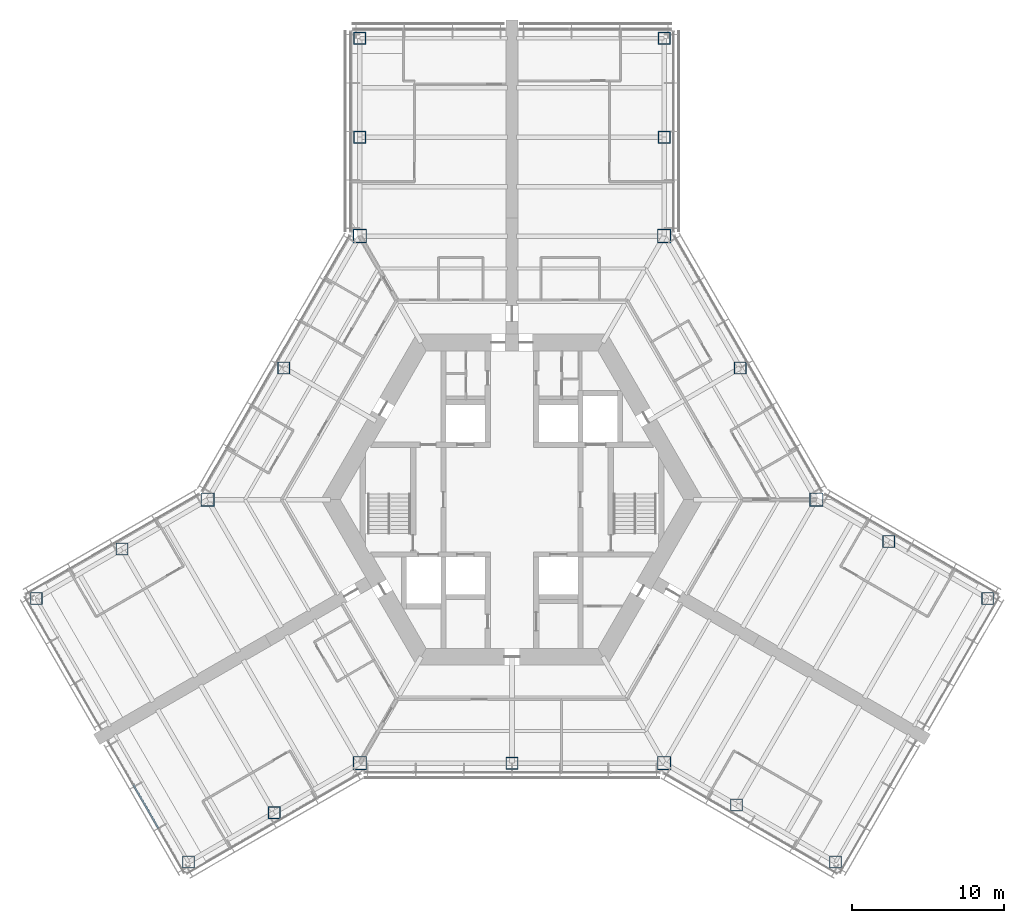
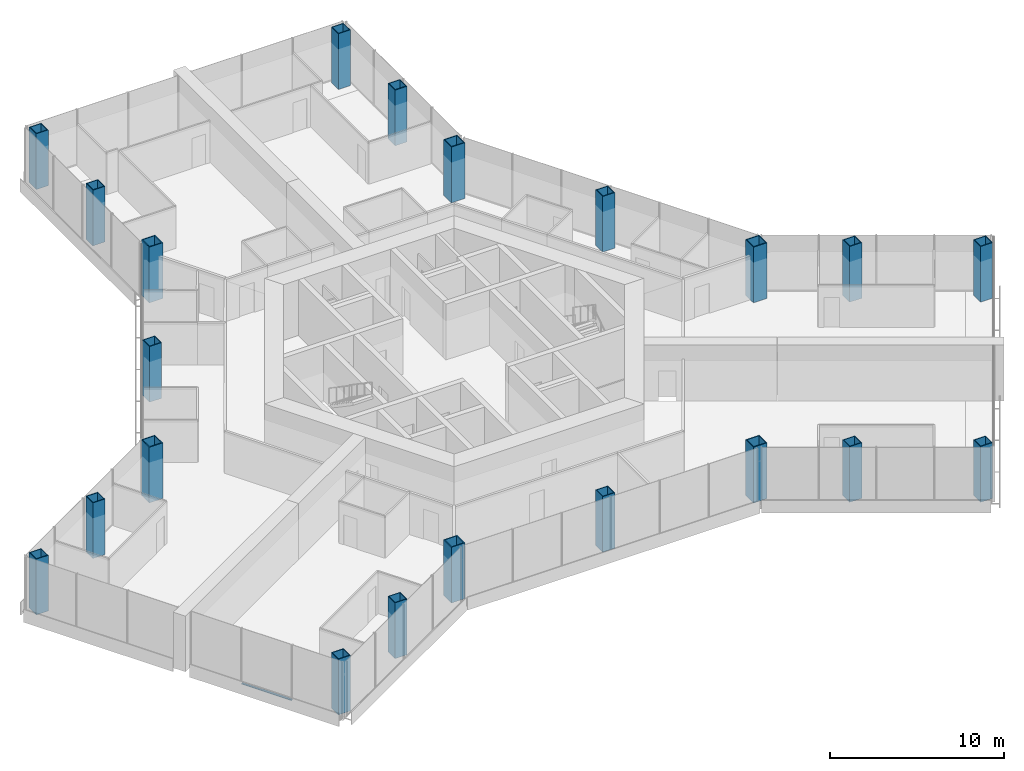
# One storey, part 1 of 18: 21 columns, 1 member, 1 element without a shape of its own.
"""IFC4 building model written with IfcOpenShell, lengths in metres."""

from ifc_helpers import new_model, si_unit, direction, frame, origin, origin_2d, place, context, subcontext, project, spatial, rectangle, hollow_rectangle, extrude, material, material_profile, profile_set, type_object, element, aggregate, save


model = new_model("IFC4")

# Units and contexts
model_context = context("Model", 3, precision=1e-05, world=origin(), true_north=direction((0.0, 1.0)))
body_context = subcontext(model_context, "Body", "Model", "MODEL_VIEW")
ifc_project = project(units=[si_unit("LENGTHUNIT", "METRE"), si_unit("AREAUNIT", "SQUARE_METRE"), si_unit("VOLUMEUNIT", "CUBIC_METRE"), si_unit("PLANEANGLEUNIT", "RADIAN"), si_unit("MASSUNIT", "GRAM", prefix="KILO")], contexts=[model_context])

# Site, building, storey
site_placement = place(None, origin())
site = spatial("IfcSite", under=ifc_project, at=site_placement, CompositionType="ELEMENT")
building_placement = place(site_placement, origin())
building = spatial("IfcBuilding", under=site, at=building_placement, Name="Kasaneha Research Tower", CompositionType="ELEMENT")
storey_placement = place(building_placement, frame((0.0, 0.0, 65.10009765625)))
storey = spatial("IfcBuildingStorey", under=building, at=storey_placement, Name="L16", CompositionType="ELEMENT", Elevation=65.10009765625)

# Columns
ifc_material_1 = material(Name="Steel SN490C", Category="steel")
ifc_material_profile_1 = material_profile(ifc_material_1, hollow_rectangle(XDim=0.89990234375, YDim=0.89990234375, WallThickness=0.054931640625, at=origin_2d()), Name="BOX-900x900x55")
ifc_profile_set_1 = profile_set([ifc_material_profile_1], Name="Steel SN490C")
column_type_1 = type_object("IfcColumnType", Name="C2A column BOX-900x900x55", PredefinedType="COLUMN", material=ifc_profile_set_1)
for number, where, z_axis, x_axis, name in (
    (1, (20.0, 0.0, 0.0), (0.0, 0.0, 1.0), (1.0, 0.0, 0.0), "Column V0 L16"),
    (2, (10.0, 17.320556640625, 0.0), (0.0, 0.0, 1.0), (1.0, 0.0, 0.0), "Column V1 L16"),
    (3, (-10.0, 17.320556640625, 0.0), (0.0, 0.0, 1.0), (1.0, 0.0, 0.0), "Column V2 L16"),
    (4, (-20.0, 0.0, 0.0), (0.0, 0.0, 1.0), (1.0, 0.0, 0.0), "Column V3 L16"),
    (5, (-10.0, -17.320556640625, 0.0), (0.0, 0.0, 1.0), (1.0, 0.0, 0.0), "Column V4 L16"),
    (6, (10.0, -17.320556640625, 0.0), (0.0, 0.0, 1.0), (1.0, 0.0, 0.0), "Column V5 L16"),
):
    element("IfcColumn", number, at=place(storey_placement, frame(where, z_axis=z_axis, x_axis=x_axis)), inside=storey, type_object=column_type_1, Name=name, PredefinedType="COLUMN", context=body_context, shape_type="SweptSolid", body=[
        extrude(hollow_rectangle(XDim=0.89990234375, YDim=0.89990234375, WallThickness=0.054931640625, at=origin_2d()), origin(), (0.0, 0.0, 1.0), 3.89990234375),
    ])
ifc_material_2 = material(Name="Steel SN490C", Category="steel")
ifc_material_profile_2 = material_profile(ifc_material_2, hollow_rectangle(XDim=0.800048828125, YDim=0.800048828125, WallThickness=0.044921875, at=origin_2d()), Name="BOX-800x800x45")
ifc_profile_set_2 = profile_set([ifc_material_profile_2], Name="Steel SN490C")
column_type_2 = type_object("IfcColumnType", Name="C2B column BOX-800x800x45", PredefinedType="COLUMN", material=ifc_profile_set_2)
for number, where, z_axis, x_axis, name in (
    (7, (15.0, 8.66015625, 0.0), (0.0, 0.0, 1.0), (1.0, 0.0, 0.0), "Column M030 L16"),
    (8, (-15.0, 8.66015625, 0.0), (0.0, 0.0, 1.0), (1.0, 0.0, 0.0), "Column M150 L16"),
    (9, (0.0, -17.320556640625, 0.0), (0.0, 0.0, 1.0), (1.0, 0.0, 0.0), "Column M270 L16"),
    (10, (10.0, 23.820556640625, 0.0), (0.0, 0.0, 1.0), (1.0, 0.0, 0.0), "Column ASP L16"),
    (11, (10.0, 30.320556640625, 0.0), (0.0, 0.0, 1.0), (1.0, 0.0, 0.0), "Column ATP L16"),
    (12, (-10.0, 23.820556640625, 0.0), (0.0, 0.0, 1.0), (1.0, 0.0, 0.0), "Column ASN L16"),
    (13, (-10.0, 30.320556640625, 0.0), (0.0, 0.0, 1.0), (1.0, 0.0, 0.0), "Column ATN L16"),
    (14, (-25.629150390625, -3.25, 0.0), (0.0, 0.0, 1.0), (1.0, 0.0, 0.0), "Column BSP L16"),
    (15, (-31.25830078125, -6.5, 0.0), (0.0, 0.0, 1.0), (1.0, 0.0, 0.0), "Column BTP L16"),
    (16, (-15.629150390625, -20.570556640625, 0.0), (0.0, 0.0, 1.0), (1.0, 0.0, 0.0), "Column BSN L16"),
    (17, (-21.25830078125, -23.820556640625, 0.0), (0.0, 0.0, 1.0), (1.0, 0.0, 0.0), "Column BTN L16"),
    (18, (14.76318359375, -20.070556640625, 0.0), (0.0, 0.0, 1.0), (1.0, 0.0, 0.0), "Column CSP L16"),
    (19, (21.25830078125, -23.820556640625, 0.0), (0.0, 0.0, 1.0), (1.0, 0.0, 0.0), "Column CTP L16"),
    (20, (24.76318359375, -2.75, 0.0), (0.0, 0.0, 1.0), (1.0, 0.0, 0.0), "Column CSN L16"),
    (21, (31.25830078125, -6.5, 0.0), (0.0, 0.0, 1.0), (1.0, 0.0, 0.0), "Column CTN L16"),
):
    element("IfcColumn", number, at=place(storey_placement, frame(where, z_axis=z_axis, x_axis=x_axis)), inside=storey, type_object=column_type_2, Name=name, PredefinedType="COLUMN", context=body_context, shape_type="SweptSolid", body=[
        extrude(hollow_rectangle(XDim=0.800048828125, YDim=0.800048828125, WallThickness=0.044921875, at=origin_2d()), origin(), (0.0, 0.0, 1.0), 3.89990234375),
    ])

# Curtain wall, member
ifc_material_3 = material(Name="Glass and aluminium", Category="aluminium")
curtain_wall_type = type_object("IfcCurtainWallType", Name="Low-rise office curtain wall", PredefinedType="USERDEFINED", material=ifc_material_3)
curtain_wall_placement = place(storey_placement, origin())
curtain_wall = element("IfcCurtainWall", 22, at=curtain_wall_placement, inside=storey, type_object=curtain_wall_type, Name="CW-O1 L16 run 15a", ObjectType="UNITISED CURTAIN WALL", PredefinedType="USERDEFINED")
ifc_material_4 = material(Name="Aluminium 6063-T6", Category="aluminium")
ifc_material_profile_3 = material_profile(ifc_material_4, rectangle(XDim=0.1201171875, YDim=0.06005859375, at=origin_2d()), Name="CW-O1 transom 120x60")
ifc_profile_set_3 = profile_set([ifc_material_profile_3], Name="Aluminium 6063-T6")
member_type = type_object("IfcMemberType", Name="CW-O1 transom", PredefinedType="USERDEFINED", material=ifc_profile_set_3)
member_placement = place(storey_placement, frame((-24.879638671875, -18.748291015625, 0.02978515625), z_axis=(0.500014325468, -0.866017132814, 0.0), x_axis=(0.866017132814, 0.500014325468, 0.0)))
member = element("IfcMember", 23, at=member_placement, type_object=member_type, Name="CW-O1 transom 2", ObjectType="TRANSOM", PredefinedType="USERDEFINED", context=body_context, shape_type="SweptSolid", body=[
    extrude(rectangle(XDim=0.1201171875, YDim=0.06005859375, at=origin_2d()), origin(), (0.0, 0.0, 1.0), 3.306640625),
])
aggregate(curtain_wall, [member])

save(model, "model.ifc")
